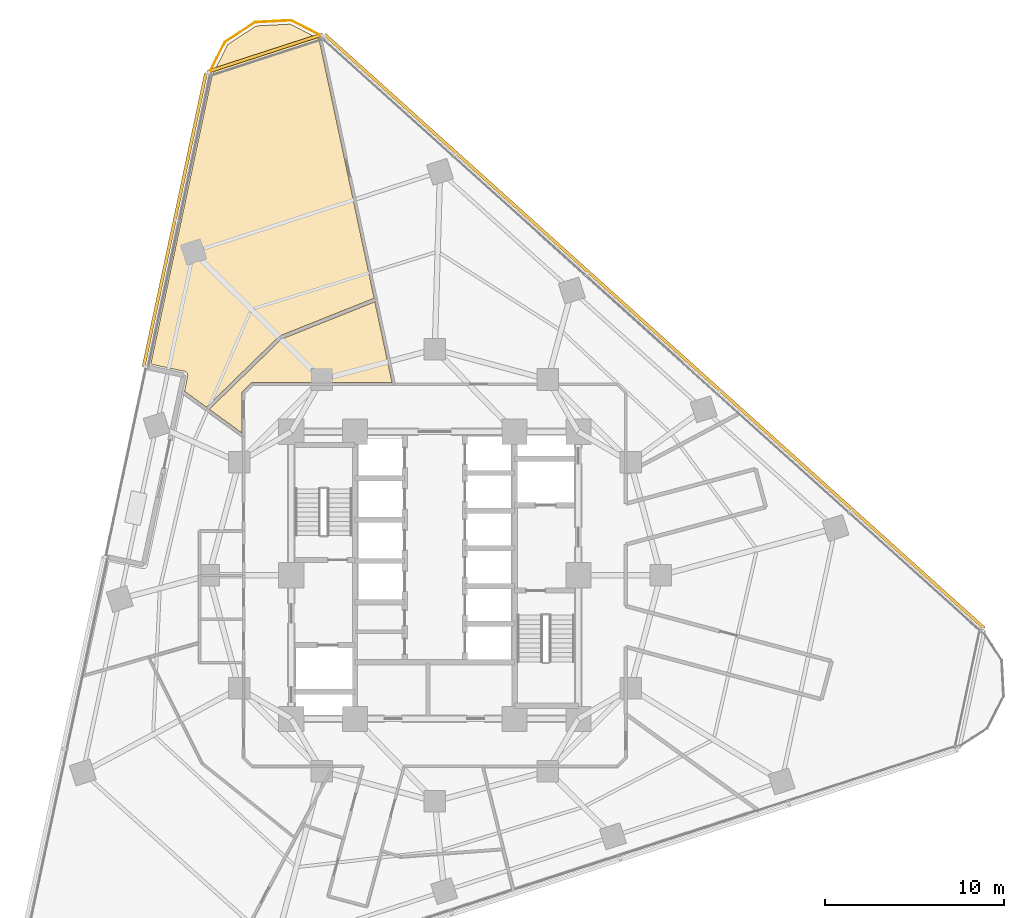
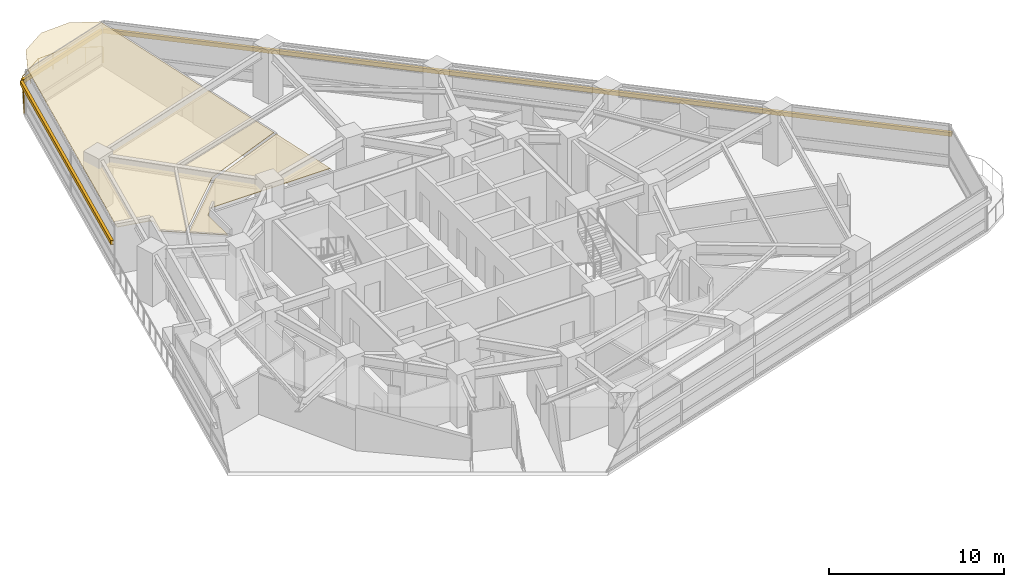
# One storey, part 14 of 14: 3 shading devices, 2 coverings, 1 railing.
"""IFC4 building model written with IfcOpenShell, lengths in metres."""

from ifc_helpers import new_model, si_unit, direction, frame, origin, origin_2d, place, context, subcontext, project, spatial, polyline, rectangle, circle, outline, extrude, material, layer, layer_set, type_object, element, save


model = new_model("IFC4")

# Units and contexts
model_context = context("Model", 3, precision=1e-05, world=origin(), true_north=direction((0.0, 1.0)))
body_context = subcontext(model_context, "Body", "Model", "MODEL_VIEW")
ifc_project = project(units=[si_unit("LENGTHUNIT", "METRE"), si_unit("AREAUNIT", "SQUARE_METRE"), si_unit("VOLUMEUNIT", "CUBIC_METRE"), si_unit("PLANEANGLEUNIT", "RADIAN"), si_unit("MASSUNIT", "GRAM", prefix="KILO")], contexts=[model_context])

# Site, building, storey
site_placement = place(None, origin())
site = spatial("IfcSite", under=ifc_project, at=site_placement, CompositionType="ELEMENT")
building_placement = place(site_placement, origin())
building = spatial("IfcBuilding", under=site, at=building_placement, Name="Terralouvre Media Tower", CompositionType="ELEMENT")
storey_placement = place(building_placement, frame((0.0, 0.0, 97.699951171875)))
storey = spatial("IfcBuildingStorey", under=building, at=storey_placement, Name="L24", CompositionType="ELEMENT", Elevation=97.699951171875)

# Coverings
ifc_material_1 = material(Name="Perforated aluminium acoustic ceiling baffle", Category="aluminium")
ifc_layer_1 = layer(ifc_material_1, 0.0400390625, Name="Perforated Acoustic Metal Tile Ceiling CL-AC1")
ifc_layer_set_1 = layer_set([ifc_layer_1], Name="Perforated aluminium acoustic ceiling baffle")
covering_type = type_object("IfcCoveringType", Name="Perforated Acoustic Metal Tile Ceiling CL-AC1", PredefinedType="CEILING", material=ifc_layer_set_1)
covering_1_placement = place(storey_placement, frame((0.0, 0.0, 2.97998046875), z_axis=(0.0, 0.0, 1.0), x_axis=(0.951056516295, 0.309016994375, 0.0)))
element("IfcCovering", 1, at=covering_1_placement, inside=storey, type_object=covering_type, Name="L24 Dolby Preview Screening Cinema 9 Acoustic Ceiling", PredefinedType="CEILING", context=body_context, shape_type="SweptSolid", body=[
    extrude(outline(polyline([(-11.419677734375, 16.085205078125), (-9.748046875, 15.1201171875), (-9.7431640625, 15.1171875), (-9.733642578125, 15.11083984375), (-9.72705078125, 15.106201171875), (-9.720947265625, 15.10107421875), (-9.7119140625, 15.0927734375), (-9.703125, 15.084716796875), (-9.6953125, 15.07666015625), (-9.6875, 15.06787109375), (-9.68017578125, 15.05810546875), (-9.673828125, 15.048828125), (-9.670166015625, 15.043212890625), (-9.664306640625, 15.032958984375), (-9.658935546875, 15.0224609375), (-9.654052734375, 15.011474609375), (-9.651611328125, 15.00537109375), (-9.647705078125, 14.99462890625), (-9.644287109375, 14.9833984375), (-9.642333984375, 14.971923828125), (-9.64111328125, 14.961669921875), (-9.639892578125, 14.952392578125), (-9.638671875, 14.94091796875), (-9.638427734375, 14.92919921875), (-9.638427734375, 14.9189453125), (-9.639404296875, 14.90673828125), (-9.64013671875, 14.8984375), (-9.641845703125, 14.890625), (-9.64453125, 14.879150390625), (-9.646728515625, 14.868896484375), (-9.649169921875, 14.8603515625), (-9.652099609375, 14.852294921875), (-9.65673828125, 14.841064453125), (-9.660400390625, 14.833740234375), (-9.666015625, 14.822998046875), (-9.66796875, 14.819091796875), (-10.099609375, 14.0712890625), (-9.211181640625, 12.84765625), (-4.13330078125, 15.351318359375), (-4.124267578125, 15.35498046875), (-4.114990234375, 15.358154296875), (-4.10546875, 15.360107421875), (-4.095703125, 15.361328125), (1.552978515625, 15.731689453125), (3.0986328125, 30.4345703125), (1.825927734375, 31.707275390625), (0.000244140625, 32.1962890625), (-1.826416015625, 31.70703125), (-3.1845703125, 30.3486328125), (-11.419677734375, 16.085205078125)])), origin(), (0.0, 0.0, 1.0), 0.0400390625),
])
covering_2_placement = place(storey_placement, frame((0.0, 0.0, 2.97998046875), z_axis=(0.0, 0.0, 1.0), x_axis=(0.951056516295, 0.309016994375, 0.0)))
element("IfcCovering", 2, at=covering_2_placement, inside=storey, type_object=covering_type, Name="L24 Client Cut Review Theatre 10 Acoustic Ceiling", PredefinedType="CEILING", context=body_context, shape_type="SweptSolid", body=[
    extrude(outline(polyline([(-4.062744140625, 15.1630859375), (-9.091796875, 12.68359375), (-7.77197265625, 10.867919921875), (-7.08740234375, 12.97509765625), (-7.083740234375, 12.984375), (-7.07958984375, 12.9931640625), (-7.07421875, 13.00146484375), (-7.068359375, 13.00927734375), (-7.0615234375, 13.016357421875), (-7.05419921875, 13.022705078125), (-7.046142578125, 13.0283203125), (-7.03759765625, 13.033447265625), (-6.407470703125, 13.354248046875), (-6.398681640625, 13.3583984375), (-6.389404296875, 13.361572265625), (-6.379638671875, 13.36376953125), (-6.3701171875, 13.364990234375), (-6.360107421875, 13.365234375), (-6.350341796875, 13.364501953125), (-6.3408203125, 13.363037109375), (-6.331298828125, 13.3603515625), (1.05126953125, 10.961669921875), (1.53173828125, 15.52978515625), (-4.062744140625, 15.1630859375)])), origin(), (0.0, 0.0, 1.0), 0.0400390625),
])

# Railing
ifc_material_2 = material(Name="Stainless steel 316 handrail and balustrade", Category="steel")
ifc_layer_2 = layer(ifc_material_2, 0.06005859375, Name="Roof Edge Safety Guardrail GR-ROOF1")
ifc_layer_set_2 = layer_set([ifc_layer_2], Name="Stainless steel 316 handrail and balustrade")
railing_type = type_object("IfcRailingType", Name="Roof Edge Safety Guardrail GR-ROOF1", PredefinedType="GUARDRAIL", material=ifc_layer_set_2)
railing_placement = place(storey_placement, frame((-6.221435546875, 30.015869140625, 0.0)))
element("IfcRailing", 3, at=railing_placement, inside=storey, type_object=railing_type, Name="L24 Wind-Corner Perimeter Safety Guardrail C2", PredefinedType="GUARDRAIL", context=body_context, shape_type="SweptSolid", body=[
    extrude(circle(Radius=0.02099609375, at=origin_2d()), frame((0.0, 0.0, 1.12890625), z_axis=(-0.890922546915, 0.454155276748, 0.0), x_axis=(-0.454155276748, -0.890922546915, 0.0)), (0.0, 0.0, 1.0), 2.0078125),
    extrude(circle(Radius=0.02099609375, at=origin_2d()), frame((-1.788818359375, 0.911865234375, 1.12890625), z_axis=(-0.998637914219, -0.052175820874, 0.0), x_axis=(0.052175820874, -0.998637914219, 0.0)), (0.0, 0.0, 1.0), 2.00732421875),
    extrude(circle(Radius=0.02099609375, at=origin_2d()), frame((-3.79345703125, 0.80712890625, 1.12890625), z_axis=(-0.838632501794, -0.544697647264, 0.0), x_axis=(0.544697647264, -0.838632501794, 0.0)), (0.0, 0.0, 1.0), 2.007568359375),
    extrude(circle(Radius=0.02099609375, at=origin_2d()), frame((-5.47705078125, -0.286376953125, 1.12890625), z_axis=(-0.453767310879, -0.891120209387, 0.0), x_axis=(0.891120209387, -0.453767310879, 0.0)), (0.0, 0.0, 1.0), 2.0078125),
    extrude(circle(Radius=0.01904296875, at=origin_2d()), origin(), (0.0, 0.0, 1.0), 1.10791015625),
    extrude(circle(Radius=0.01904296875, at=origin_2d()), frame((-0.89453125, 0.4560546875, 0.0)), (0.0, 0.0, 1.0), 1.10791015625),
    extrude(circle(Radius=0.01904296875, at=origin_2d()), frame((-1.788818359375, 0.911865234375, 0.0)), (0.0, 0.0, 1.0), 1.10791015625),
    extrude(circle(Radius=0.01904296875, at=origin_2d()), frame((-2.791015625, 0.859375, 0.0)), (0.0, 0.0, 1.0), 1.10791015625),
    extrude(circle(Radius=0.01904296875, at=origin_2d()), frame((-3.79345703125, 0.80712890625, 0.0)), (0.0, 0.0, 1.0), 1.10791015625),
    extrude(circle(Radius=0.01904296875, at=origin_2d()), frame((-4.63525390625, 0.26025390625, 0.0)), (0.0, 0.0, 1.0), 1.10791015625),
    extrude(circle(Radius=0.01904296875, at=origin_2d()), frame((-5.47705078125, -0.286376953125, 0.0)), (0.0, 0.0, 1.0), 1.10791015625),
    extrude(circle(Radius=0.01904296875, at=origin_2d()), frame((-5.9326171875, -1.18115234375, 0.0)), (0.0, 0.0, 1.0), 1.10791015625),
    extrude(circle(Radius=0.01904296875, at=origin_2d()), frame((-6.38818359375, -2.07568359375, 0.0)), (0.0, 0.0, 1.0), 1.10791015625),
])

# Shading devices
ifc_material_3 = material(Name="Extruded terracotta baguette sunshade louvres", Category="masonry")
shading_device_type = type_object("IfcShadingDeviceType", Name="Terracotta Baguette Sunshade Louvre Screen TB-LV1", PredefinedType="USERDEFINED", material=ifc_material_3)
shading_device_1_placement = place(storey_placement, frame((12.23974609375, 13.59375, 2.02392578125), z_axis=(0.0, 0.0, 1.0), x_axis=(-0.743144795545, 0.669130639602, 0.0)))
element("IfcShadingDevice", 4, at=shading_device_1_placement, inside=storey, type_object=shading_device_type, Name="CW-L24-F1 Terracotta Baguette Sunshade Louvre", ObjectType="BAGUETTE", PredefinedType="USERDEFINED", context=body_context, shape_type="SweptSolid", body=[
    extrude(rectangle(XDim=49.43994140625, YDim=0.179931640625, at=origin_2d()), origin(), (0.0, 0.0, 1.0), 0.280029296875),
])
shading_device_2_placement = place(storey_placement, frame((-14.490966796875, 19.8056640625, 2.02392578125), z_axis=(0.0, 0.0, 1.0), x_axis=(-0.207912038726, -0.978147526784, 0.0)))
element("IfcShadingDevice", 5, at=shading_device_2_placement, inside=storey, type_object=shading_device_type, Name="CW-L24-F2L Terracotta Baguette Sunshade Louvre", ObjectType="BAGUETTE", PredefinedType="USERDEFINED", context=body_context, shape_type="SweptSolid", body=[
    extrude(rectangle(XDim=16.719970703125, YDim=0.179931640625, at=origin_2d()), origin(), (0.0, 0.0, 1.0), 0.280029296875),
])
shading_device_3_placement = place(storey_placement, frame((-9.457275390625, 29.106201171875, 2.02392578125), z_axis=(0.0, 0.0, 1.0), x_axis=(-0.951056286408, -0.309017701894, 0.0)))
element("IfcShadingDevice", 6, at=shading_device_3_placement, inside=storey, type_object=shading_device_type, Name="CW-L24-C2 Terracotta Baguette Sunshade Louvre", ObjectType="BAGUETTE", PredefinedType="USERDEFINED", context=body_context, shape_type="SweptSolid", body=[
    extrude(rectangle(XDim=6.720458984375, YDim=0.179931640625, at=origin_2d()), origin(), (0.0, 0.0, 1.0), 0.280029296875),
])

save(model, "model.ifc")
